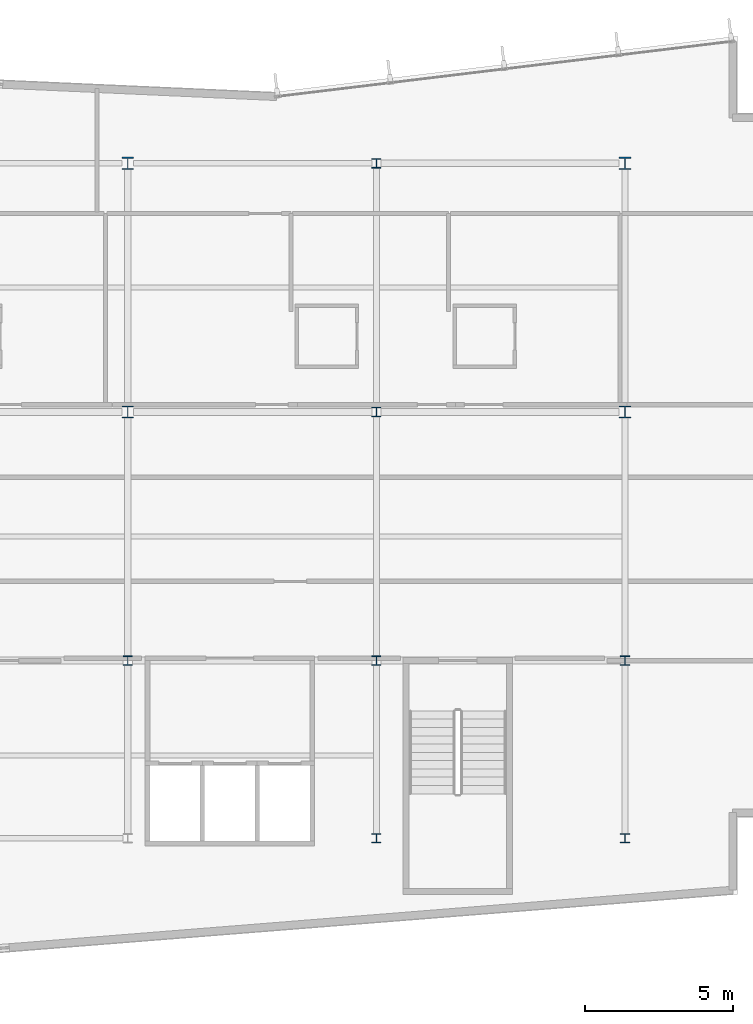
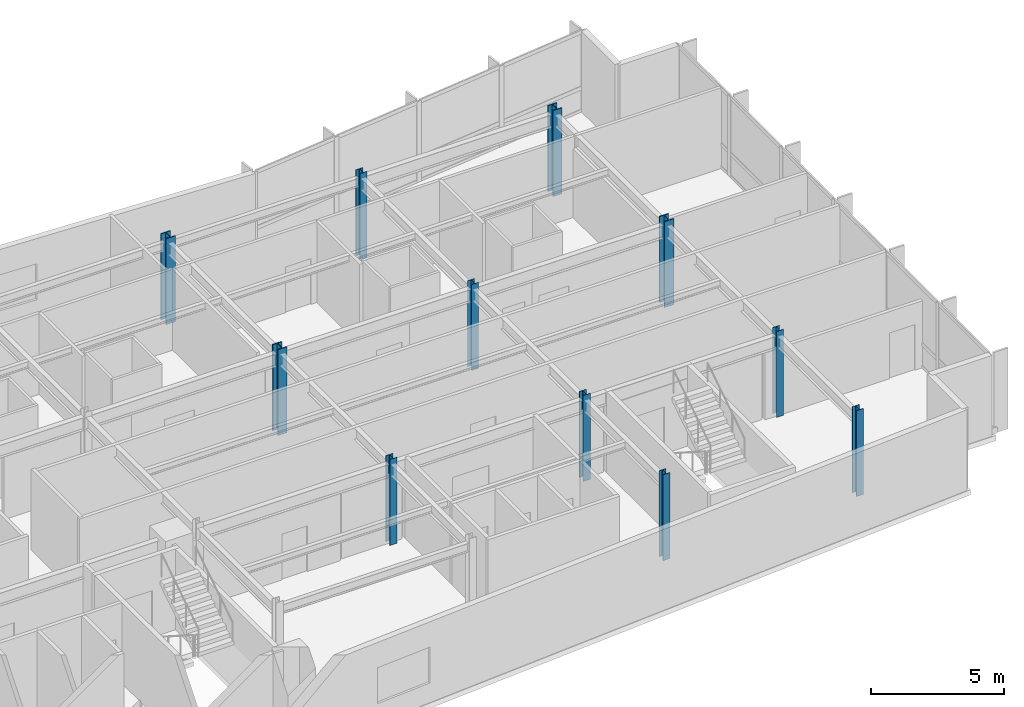
# One storey, part 2 of 17: 11 columns.
"""IFC4 building model written with IfcOpenShell, lengths in metres."""

from ifc_helpers import new_model, si_unit, direction, frame, origin, origin_2d, place, context, subcontext, project, spatial, i_section, extrude, material, material_profile, profile_set, type_object, element, save


model = new_model("IFC4")

# Units and contexts
model_context = context("Model", 3, precision=1e-05, world=origin(), true_north=direction((0.0, 1.0)))
body_context = subcontext(model_context, "Body", "Model", "MODEL_VIEW")
ifc_project = project(units=[si_unit("LENGTHUNIT", "METRE"), si_unit("AREAUNIT", "SQUARE_METRE"), si_unit("VOLUMEUNIT", "CUBIC_METRE"), si_unit("PLANEANGLEUNIT", "RADIAN"), si_unit("MASSUNIT", "GRAM", prefix="KILO")], contexts=[model_context])

# Site, building, storey
site_placement = place(None, origin())
site = spatial("IfcSite", under=ifc_project, at=site_placement, CompositionType="ELEMENT")
building_placement = place(site_placement, origin())
building = spatial("IfcBuilding", under=site, at=building_placement, Name="Varnakote Quay Hospital", CompositionType="ELEMENT")
storey_placement = place(building_placement, frame((0.0, 0.0, 146.800048828125)))
storey = spatial("IfcBuildingStorey", under=building, at=storey_placement, Name="L36", CompositionType="ELEMENT", Elevation=146.800048828125)

# Columns
ifc_material_1 = material(Name="Structural steel AS/NZS 3679.1 Grade 350 L0 (fy 340 MPa)", Category="steel")
ifc_material_profile_1 = material_profile(ifc_material_1, i_section(OverallWidth=0.306884765625, OverallDepth=0.31494140625, WebThickness=0.011962890625, FlangeThickness=0.018798828125, FilletRadius=0.0166015625, at=origin_2d()), Name="310UC118")
ifc_profile_set_1 = profile_set([ifc_material_profile_1], Name="Structural steel AS/NZS 3679.1 Grade 350 L0 (fy 340 MPa)")
column_type_1 = type_object("IfcColumnType", Name="COL-STL-310UC118", PredefinedType="COLUMN", material=ifc_profile_set_1)
for number, where, z_axis, x_axis, name in (
    (1, (42.0, 6.0, 0.0), (0.0, 0.0, 1.0), (1.0, 0.0, 0.0), "L36 Structural Column C-42-6"),
    (2, (50.39990234375, 6.0, 0.0), (0.0, 0.0, 1.0), (1.0, 0.0, 0.0), "L36 Structural Column C-50-6"),
    (3, (33.60009765625, 12.0, 0.0), (0.0, 0.0, 1.0), (1.0, 0.0, 0.0), "L36 Structural Column C-34-12"),
    (4, (42.0, 12.0, 0.0), (0.0, 0.0, 1.0), (1.0, 0.0, 0.0), "L36 Structural Column C-42-12"),
    (5, (50.39990234375, 12.0, 0.0), (0.0, 0.0, 1.0), (1.0, 0.0, 0.0), "L36 Structural Column C-50-12"),
    (6, (42.0, 20.39990234375, 0.0), (0.0, 0.0, 1.0), (1.0, 0.0, 0.0), "L36 Structural Column C-42-20"),
    (7, (42.0, 28.800048828125, 0.0), (0.0, 0.0, 1.0), (1.0, 0.0, 0.0), "L36 Structural Column C-42-29"),
):
    element("IfcColumn", number, at=place(storey_placement, frame(where, z_axis=z_axis, x_axis=x_axis)), inside=storey, type_object=column_type_1, Name=name, PredefinedType="COLUMN", context=body_context, shape_type="SweptSolid", body=[
        extrude(i_section(OverallWidth=0.306884765625, OverallDepth=0.31494140625, WebThickness=0.011962890625, FlangeThickness=0.018798828125, FilletRadius=0.0166015625, at=origin_2d()), origin(), (0.0, 0.0, 1.0), 3.949951171875),
    ])
ifc_material_2 = material(Name="Structural steel AS/NZS 3678 Grade 350 (fy 340 MPa)", Category="steel")
ifc_material_profile_2 = material_profile(ifc_material_2, i_section(OverallWidth=0.39990234375, OverallDepth=0.419921875, WebThickness=0.02490234375, FlangeThickness=0.0400390625, at=origin_2d()), Name="400WC328")
ifc_profile_set_2 = profile_set([ifc_material_profile_2], Name="Structural steel AS/NZS 3678 Grade 350 (fy 340 MPa)")
column_type_2 = type_object("IfcColumnType", Name="COL-STL-400WC328", PredefinedType="COLUMN", material=ifc_profile_set_2)
for number, where, z_axis, x_axis, name in (
    (8, (33.60009765625, 20.39990234375, 0.0), (0.0, 0.0, 1.0), (1.0, 0.0, 0.0), "L36 Structural Column C-34-20"),
    (9, (50.39990234375, 20.39990234375, 0.0), (0.0, 0.0, 1.0), (1.0, 0.0, 0.0), "L36 Structural Column C-50-20"),
    (10, (33.60009765625, 28.800048828125, 0.0), (0.0, 0.0, 1.0), (1.0, 0.0, 0.0), "L36 Structural Column C-34-29"),
    (11, (50.39990234375, 28.800048828125, 0.0), (0.0, 0.0, 1.0), (1.0, 0.0, 0.0), "L36 Structural Column C-50-29"),
):
    element("IfcColumn", number, at=place(storey_placement, frame(where, z_axis=z_axis, x_axis=x_axis)), inside=storey, type_object=column_type_2, Name=name, PredefinedType="COLUMN", context=body_context, shape_type="SweptSolid", body=[
        extrude(i_section(OverallWidth=0.39990234375, OverallDepth=0.419921875, WebThickness=0.02490234375, FlangeThickness=0.0400390625, at=origin_2d()), origin(), (0.0, 0.0, 1.0), 3.949951171875),
    ])

save(model, "model.ifc")
